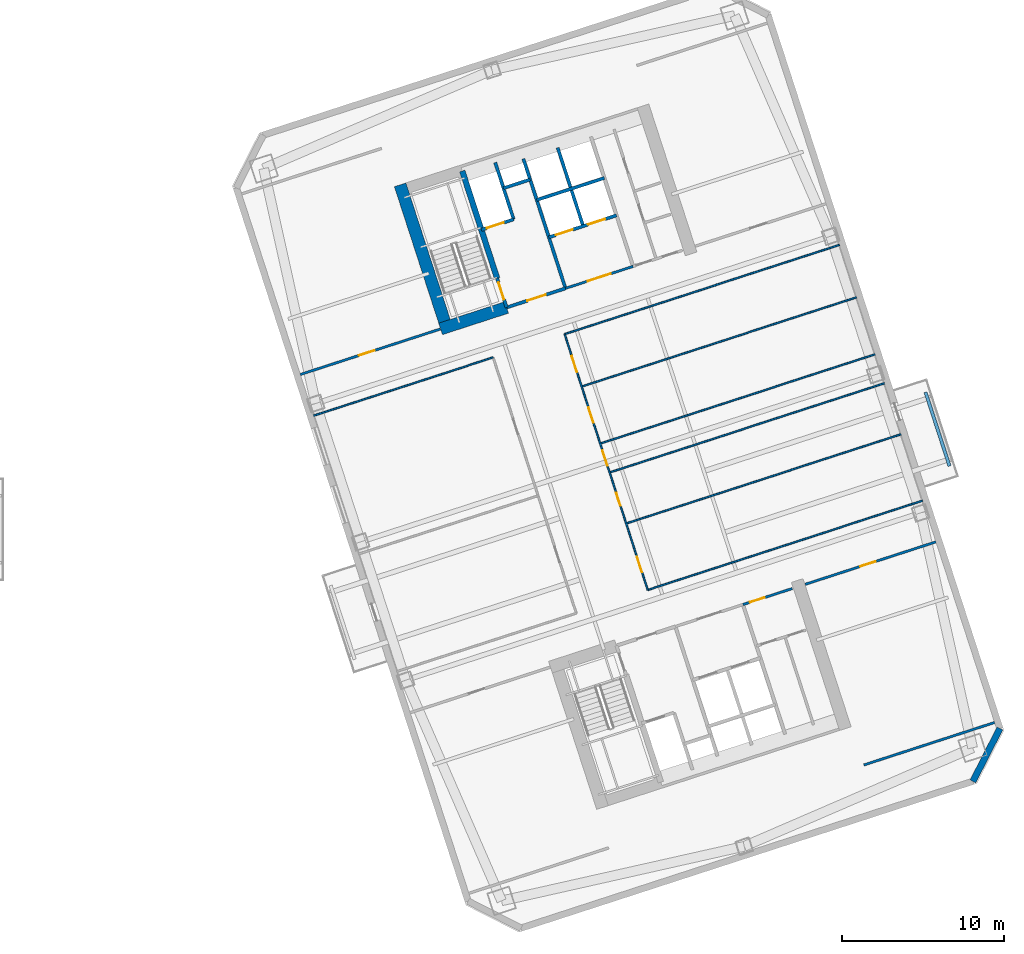
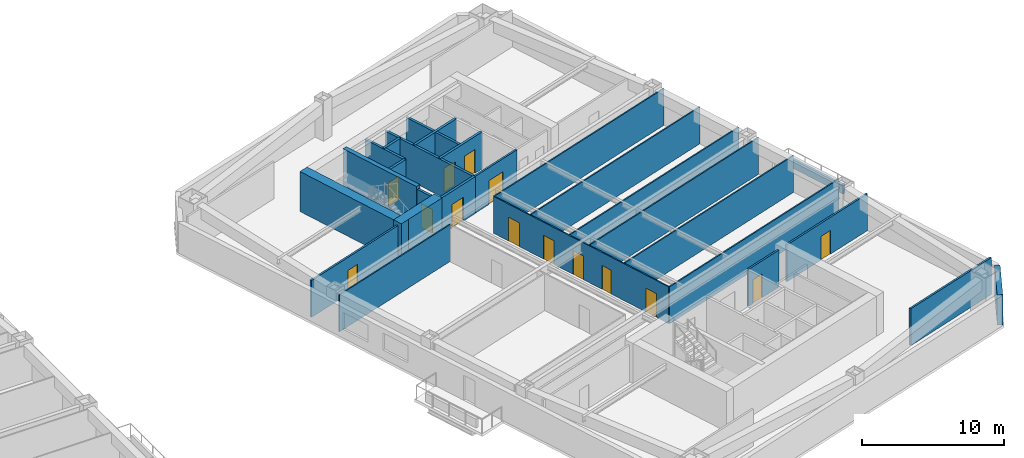
# One storey, part 9 of 15: 27 walls, 14 doors, 14 openings.
"""IFC4 building model written with IfcOpenShell, lengths in metres."""

from ifc_helpers import new_model, si_unit, direction, frame, frame_2d, origin, place, context, subcontext, project, spatial, rectangle, extrude, material, layer, layer_set, type_object, element, fill, save


model = new_model("IFC4")

# Units and contexts
model_context = context("Model", 3, precision=1e-05, world=origin(), true_north=direction((0.0, 1.0)))
body_context = subcontext(model_context, "Body", "Model", "MODEL_VIEW")
ifc_project = project(units=[si_unit("LENGTHUNIT", "METRE"), si_unit("AREAUNIT", "SQUARE_METRE"), si_unit("VOLUMEUNIT", "CUBIC_METRE"), si_unit("PLANEANGLEUNIT", "RADIAN"), si_unit("MASSUNIT", "GRAM", prefix="KILO")], contexts=[model_context])

# Site, building, storey
site_placement = place(None, origin())
site = spatial("IfcSite", under=ifc_project, at=site_placement, CompositionType="ELEMENT")
building_placement = place(site_placement, origin())
building = spatial("IfcBuilding", under=site, at=building_placement, Name="Qiaolan Cultural Towers", CompositionType="ELEMENT")
storey_placement = place(building_placement, frame((0.0, 0.0, 81.64990234375)))
storey = spatial("IfcBuildingStorey", under=building, at=storey_placement, Name="L20", CompositionType="ELEMENT", Elevation=81.64990234375)

# Walls
ifc_material_1 = material(Name="Concrete C50", Category="concrete")
ifc_layer_1 = layer(ifc_material_1, 0.35009765625)
ifc_layer_set_1 = layer_set([ifc_layer_1], Name="Concrete C50")
wall_type_1 = type_object("IfcWallType", Name="WL-CORE-350", PredefinedType="SHEAR", material=ifc_layer_set_1)
wall_1_placement = place(storey_placement, frame((82.513671875, 45.13134765625, 0.0), z_axis=(0.0, 0.0, 1.0), x_axis=(-0.308988790936, 0.951065679686, 0.0)))
element("IfcWall", 1, at=wall_1_placement, inside=storey, type_object=wall_type_1, Name="L20 T2-CN Stair Core Dividing Web", PredefinedType="SHEAR", context=body_context, shape_type="SweptSolid", body=[
    extrude(rectangle(XDim=6.97998046875, YDim=0.35009765625, at=frame_2d((3.489990234375, 0.0))), origin(), (0.0, 0.0, 1.0), 3.4501953125),
])
ifc_material_2 = material(Name="Concrete C60", Category="concrete")
ifc_layer_2 = layer(ifc_material_2, 0.75)
ifc_layer_set_2 = layer_set([ifc_layer_2], Name="Concrete C60")
wall_type_2 = type_object("IfcWallType", Name="WL-CORE-750", PredefinedType="SHEAR", material=ifc_layer_set_2)
wall_2_placement = place(storey_placement, frame((79.48876953125, 41.75634765625, 0.0), z_axis=(0.0, 0.0, 1.0), x_axis=(-0.309016134813, 0.951056795583, 0.0)))
element("IfcWall", 2, at=wall_2_placement, inside=storey, type_object=wall_type_2, Name="L20 T2-CN West Core Shear Wall", PredefinedType="SHEAR", context=body_context, shape_type="SweptSolid", body=[
    extrude(rectangle(XDim=9.630126953125, YDim=0.75, at=frame_2d((4.81494140625, 0.0))), origin(), (0.0, 0.0, 1.0), 3.4501953125),
])
wall_3_placement = place(storey_placement, frame((79.01611328125, 41.997314453125, 0.0), z_axis=(0.0, 0.0, 1.0), x_axis=(0.95106038264, 0.309005094736, 0.0)))
element("IfcWall", 3, at=wall_3_placement, inside=storey, type_object=wall_type_2, Name="L20 T2-CN Stair Front Shear Wall", PredefinedType="SHEAR", context=body_context, shape_type="SweptSolid", body=[
    extrude(rectangle(XDim=4.294921875, YDim=0.75, at=frame_2d((2.1474609375, 0.0))), origin(), (0.0, 0.0, 1.0), 3.4501953125),
])
ifc_material_3 = material(Name="Precast Concrete C50 Honed Stone Pier", Category="masonry")
ifc_layer_3 = layer(ifc_material_3, 0.39990234375)
ifc_layer_set_3 = layer_set([ifc_layer_3], Name="Precast Concrete C50 Honed Stone Pier")
wall_type_3 = type_object("IfcWallType", Name="WL-EXT-PIER-400", PredefinedType="SOLIDWALL", material=ifc_layer_set_3)
wall_4_placement = place(storey_placement, frame((113.62255859375, 17.281494140625, 0.0), z_axis=(0.0, 0.0, 1.0), x_axis=(-0.454026238093, -0.890988313685, 0.0)))
element("IfcWall", 4, at=wall_4_placement, inside=storey, type_object=wall_type_3, Name="L20 East Tower Precast Pier Facade Wall F6", PredefinedType="SOLIDWALL", context=body_context, shape_type="SweptSolid", body=[
    extrude(rectangle(XDim=3.677001953125, YDim=0.39990234375, at=frame_2d((1.83837890625, 0.0))), origin(), (0.0, 0.0, 1.0), 2.610107421875),
])

# Wall, opening, door
ifc_material_4 = material(Name="Concrete C35 Fire Wall", Category="concrete")
ifc_layer_4 = layer(ifc_material_4, 0.199951171875)
ifc_layer_set_4 = layer_set([ifc_layer_4], Name="Concrete C35 Fire Wall")
wall_type_4 = type_object("IfcWallType", Name="WL-FIRE-200", PredefinedType="PARTITIONING", material=ifc_layer_set_4)
wall_5_placement = place(storey_placement, frame((83.100830078125, 43.324462890625, 0.0), z_axis=(0.0, 0.0, 1.0), x_axis=(-0.309048298632, 0.951046344356, 0.0)))
wall_5 = element("IfcWall", 5, at=wall_5_placement, inside=storey, type_object=wall_type_4, Name="L20 T2-CN Smokeproof Stair Entry Wall", PredefinedType="PARTITIONING", context=body_context, shape_type="SweptSolid", body=[
    extrude(rectangle(XDim=1.89990234375, YDim=0.199951171875, at=frame_2d((0.949951171875, 0.0))), origin(), (0.0, 0.0, 1.0), 3.175048828125),
])
opening_1_placement = place(wall_5_placement, frame((0.52001953125, 0.0, 0.0)))
opening_1 = element("IfcOpeningElement", 6, at=opening_1_placement, cuts=wall_5, Name="Opening FD-04", PredefinedType="OPENING", context=body_context, shape_type="SweptSolid", body=[
    extrude(rectangle(XDim=1.10009765625, YDim=2.050048828125, at=frame_2d((0.550048828125, 1.02490234375))), frame((0.0, 0.10986328125, 0.0), z_axis=(0.0, -1.0, 0.0), x_axis=(1.0, 0.0, 0.0)), (0.0, 0.0, 1.0), 0.219970703125),
])
ifc_material_5 = material(Name="Galvanized Steel Command Fire Door", Category="steel")
door_type_1 = type_object("IfcDoorType", Name="DR-FD90-1100", OperationType="NOTDEFINED", PredefinedType="DOOR", material=ifc_material_5)
door_1_placement = place(opening_1_placement, origin())
door_1 = element("IfcDoor", 7, at=door_1_placement, inside=storey, type_object=door_type_1, Name="L20 ST-E2 Smokeproof Stair Fire Door", OperationType="SINGLE_SWING_LEFT", OverallHeight=2.050048828125, OverallWidth=1.10009765625, PredefinedType="DOOR", context=body_context, shape_type="SweptSolid", body=[
    extrude(rectangle(XDim=1.10009765625, YDim=2.050048828125, at=frame_2d((0.550048828125, 1.02490234375))), frame((0.0, 0.02490234375, 0.0), z_axis=(0.0, -1.0, 0.0), x_axis=(1.0, 0.0, 0.0)), (0.0, 0.0, 1.0), 0.050048828125),
])
fill(opening_1, door_1)

# Wall
wall_6_placement = place(storey_placement, frame((86.743408203125, 44.508056640625, 0.0), z_axis=(0.0, 0.0, 1.0), x_axis=(-0.309016001439, 0.951056838919, 0.0)))
element("IfcWall", 8, at=wall_6_placement, inside=storey, type_object=wall_type_4, Name="L20 T2-CN Firefighting Zone Wall", PredefinedType="PARTITIONING", context=body_context, shape_type="SweptSolid", body=[
    extrude(rectangle(XDim=8.429931640625, YDim=0.199951171875, at=frame_2d((4.21484375, 0.0))), origin(), (0.0, 0.0, 1.0), 3.175048828125),
])

# Wall, opening, door
wall_7_placement = place(storey_placement, frame((83.100830078125, 43.324462890625, 0.0), z_axis=(0.0, 0.0, 1.0), x_axis=(0.951052804469, 0.309028417967, 0.0)))
wall_7 = element("IfcWall", 9, at=wall_7_placement, inside=storey, type_object=wall_type_4, Name="L20 T2-CN Firefighting Lobby Front Wall", PredefinedType="PARTITIONING", context=body_context, shape_type="SweptSolid", body=[
    extrude(rectangle(XDim=3.830078125, YDim=0.199951171875, at=frame_2d((1.9150390625, 0.0))), origin(), (0.0, 0.0, 1.0), 3.175048828125),
])
opening_2_placement = place(wall_7_placement, frame((1.35009765625, 0.0, 0.0)))
opening_2 = element("IfcOpeningElement", 10, at=opening_2_placement, cuts=wall_7, Name="Opening FD-03", PredefinedType="OPENING", context=body_context, shape_type="SweptSolid", body=[
    extrude(rectangle(XDim=1.199951171875, YDim=2.050048828125, at=frame_2d((0.60009765625, 1.02490234375))), frame((0.0, 0.10986328125, 0.0), z_axis=(0.0, -1.0, 0.0), x_axis=(1.0, 0.0, 0.0)), (0.0, 0.0, 1.0), 0.219970703125),
])
ifc_material_6 = material(Name="Galvanized Steel Smokeproof Lobby Fire Door", Category="steel")
door_type_2 = type_object("IfcDoorType", Name="DR-FD90-1200", OperationType="NOTDEFINED", PredefinedType="DOOR", material=ifc_material_6)
door_2_placement = place(opening_2_placement, origin())
door_2 = element("IfcDoor", 11, at=door_2_placement, inside=storey, type_object=door_type_2, Name="L20 FFL-E2 Firefighting Lobby Fire Door", OperationType="SINGLE_SWING_LEFT", OverallHeight=2.050048828125, OverallWidth=1.199951171875, PredefinedType="DOOR", context=body_context, shape_type="SweptSolid", body=[
    extrude(rectangle(XDim=1.199951171875, YDim=2.050048828125, at=frame_2d((0.60009765625, 1.02490234375))), frame((0.0, 0.02490234375, 0.0), z_axis=(0.0, -1.0, 0.0), x_axis=(1.0, 0.0, 0.0)), (0.0, 0.0, 1.0), 0.050048828125),
])
fill(opening_2, door_2)

wall_8_placement = place(storey_placement, frame((81.540283203125, 48.127197265625, 0.0), z_axis=(0.0, 0.0, 1.0), x_axis=(0.951062257173, 0.308999325213, 0.0)))
wall_8 = element("IfcWall", 12, at=wall_8_placement, inside=storey, type_object=wall_type_4, Name="L20 T2-CN Firefighting Shaft Front Wall", PredefinedType="PARTITIONING", context=body_context, shape_type="SweptSolid", body=[
    extrude(rectangle(XDim=2.10009765625, YDim=0.199951171875, at=frame_2d((1.050048828125, 0.0))), origin(), (0.0, 0.0, 1.0), 3.175048828125),
])
opening_3_placement = place(wall_8_placement, frame((0.35009765625, 0.0, 0.0)))
opening_3 = element("IfcOpeningElement", 13, at=opening_3_placement, cuts=wall_8, Name="Opening LD-01", PredefinedType="OPENING", context=body_context, shape_type="SweptSolid", body=[
    extrude(rectangle(XDim=1.10009765625, YDim=2.050048828125, at=frame_2d((0.550048828125, 1.02490234375))), frame((0.0, 0.10986328125, 0.0), z_axis=(0.0, -1.0, 0.0), x_axis=(1.0, 0.0, 0.0)), (0.0, 0.0, 1.0), 0.219970703125),
])
ifc_material_7 = material(Name="Brushed Stainless Steel S30408 Centre-Parting Lift Landing Door", Category="steel")
door_type_3 = type_object("IfcDoorType", Name="DR-LIFT-1100", OperationType="NOTDEFINED", PredefinedType="DOOR", material=ifc_material_7)
door_3_placement = place(opening_3_placement, origin())
door_3 = element("IfcDoor", 14, at=door_3_placement, inside=storey, type_object=door_type_3, Name="L20 FFL-E2 Firefighting Lift Landing Door", OperationType="DOUBLE_DOOR_SLIDING", OverallHeight=2.050048828125, OverallWidth=1.10009765625, PredefinedType="DOOR", context=body_context, shape_type="SweptSolid", body=[
    extrude(rectangle(XDim=1.10009765625, YDim=2.050048828125, at=frame_2d((0.550048828125, 1.02490234375))), frame((0.0, 0.02490234375, 0.0), z_axis=(0.0, -1.0, 0.0), x_axis=(1.0, 0.0, 0.0)), (0.0, 0.0, 1.0), 0.050048828125),
])
fill(opening_3, door_3)

# Walls
wall_9_placement = place(storey_placement, frame((83.53759765625, 48.776123046875, 0.0), z_axis=(0.0, 0.0, 1.0), x_axis=(-0.3089935693, 0.951064127245, 0.0)))
element("IfcWall", 15, at=wall_9_placement, inside=storey, type_object=wall_type_4, Name="L20 T2-CN Firefighting Hoistway East Wall", PredefinedType="PARTITIONING", context=body_context, shape_type="SweptSolid", body=[
    extrude(rectangle(XDim=3.7001953125, YDim=0.199951171875, at=frame_2d((1.85009765625, 0.0))), origin(), (0.0, 0.0, 1.0), 3.175048828125),
])
wall_10_placement = place(storey_placement, frame((82.910400390625, 50.706787109375, 0.0), z_axis=(0.0, 0.0, 1.0), x_axis=(0.951041328149, 0.309063734775, 0.0)))
element("IfcWall", 16, at=wall_10_placement, inside=storey, type_object=wall_type_4, Name="L20 T2-CN Pressurization Shaft Front Wall", PredefinedType="PARTITIONING", context=body_context, shape_type="SweptSolid", body=[
    extrude(rectangle(XDim=1.72998046875, YDim=0.199951171875, at=frame_2d((0.864990234375, 0.0))), origin(), (0.0, 0.0, 1.0), 3.175048828125),
])

# Wall, openings, doors
wall_11_placement = place(storey_placement, frame((85.717529296875, 47.66552734375, 0.0), z_axis=(0.0, 0.0, 1.0), x_axis=(0.951058531764, 0.30901079133, 0.0)))
wall_11 = element("IfcWall", 17, at=wall_11_placement, inside=storey, type_object=wall_type_4, Name="L20 T2-CN Passenger Lift Shaft Front Wall", PredefinedType="PARTITIONING", context=body_context, shape_type="SweptSolid", body=[
    extrude(rectangle(XDim=4.39990234375, YDim=0.199951171875, at=frame_2d((2.199951171875, 0.0))), origin(), (0.0, 0.0, 1.0), 3.175048828125),
])
opening_4_placement = place(wall_11_placement, frame((0.449951171875, 0.0, 0.0)))
opening_4 = element("IfcOpeningElement", 18, at=opening_4_placement, cuts=wall_11, Name="Opening LD-01", PredefinedType="OPENING", context=body_context, shape_type="SweptSolid", body=[
    extrude(rectangle(XDim=1.10009765625, YDim=2.050048828125, at=frame_2d((0.550048828125, 1.02490234375))), frame((0.0, 0.10986328125, 0.0), z_axis=(0.0, -1.0, 0.0), x_axis=(1.0, 0.0, 0.0)), (0.0, 0.0, 1.0), 0.219970703125),
])
opening_5_placement = place(wall_11_placement, frame((2.550048828125, 0.0, 0.0)))
opening_5 = element("IfcOpeningElement", 19, at=opening_5_placement, cuts=wall_11, Name="Opening LD-01", PredefinedType="OPENING", context=body_context, shape_type="SweptSolid", body=[
    extrude(rectangle(XDim=1.10009765625, YDim=2.050048828125, at=frame_2d((0.550048828125, 1.02490234375))), frame((0.0, 0.10986328125, 0.0), z_axis=(0.0, -1.0, 0.0), x_axis=(1.0, 0.0, 0.0)), (0.0, 0.0, 1.0), 0.219970703125),
])
door_4_placement = place(opening_4_placement, origin())
door_4 = element("IfcDoor", 20, at=door_4_placement, inside=storey, type_object=door_type_3, Name="L20 Passenger Lift 1 Landing Door", OperationType="DOUBLE_DOOR_SLIDING", OverallHeight=2.050048828125, OverallWidth=1.10009765625, PredefinedType="DOOR", context=body_context, shape_type="SweptSolid", body=[
    extrude(rectangle(XDim=1.10009765625, YDim=2.050048828125, at=frame_2d((0.550048828125, 1.02490234375))), frame((0.0, 0.02490234375, 0.0), z_axis=(0.0, -1.0, 0.0), x_axis=(1.0, 0.0, 0.0)), (0.0, 0.0, 1.0), 0.050048828125),
])
fill(opening_4, door_4)
door_5_placement = place(opening_5_placement, origin())
door_5 = element("IfcDoor", 21, at=door_5_placement, inside=storey, type_object=door_type_3, Name="L20 Passenger Lift 2 Landing Door", OperationType="DOUBLE_DOOR_SLIDING", OverallHeight=2.050048828125, OverallWidth=1.10009765625, PredefinedType="DOOR", context=body_context, shape_type="SweptSolid", body=[
    extrude(rectangle(XDim=1.10009765625, YDim=2.050048828125, at=frame_2d((0.550048828125, 1.02490234375))), frame((0.0, 0.02490234375, 0.0), z_axis=(0.0, -1.0, 0.0), x_axis=(1.0, 0.0, 0.0)), (0.0, 0.0, 1.0), 0.050048828125),
])
fill(opening_5, door_5)

# Walls
wall_12_placement = place(storey_placement, frame((87.83837890625, 48.3544921875, 0.0), z_axis=(0.0, 0.0, 1.0), x_axis=(-0.3090093719, 0.951058992953, 0.0)))
element("IfcWall", 22, at=wall_12_placement, inside=storey, type_object=wall_type_4, Name="L20 T2-CN Lift Shaft Divider Wall", PredefinedType="PARTITIONING", context=body_context, shape_type="SweptSolid", body=[
    extrude(rectangle(XDim=5.110107421875, YDim=0.199951171875, at=frame_2d((2.55517578125, 0.0))), origin(), (0.0, 0.0, 1.0), 3.175048828125),
])
wall_13_placement = place(storey_placement, frame((84.966552734375, 49.9765625, 0.0), z_axis=(0.0, 0.0, 1.0), x_axis=(0.951063829732, 0.308994485023, 0.0)))
element("IfcWall", 23, at=wall_13_placement, inside=storey, type_object=wall_type_4, Name="L20 T2-CN Passenger Lift Shaft Back Wall", PredefinedType="PARTITIONING", context=body_context, shape_type="SweptSolid", body=[
    extrude(rectangle(XDim=4.400146484375, YDim=0.199951171875, at=frame_2d((2.2001953125, 0.0))), origin(), (0.0, 0.0, 1.0), 3.175048828125),
])
ifc_material_8 = material(Name="Acoustic Double-Glazed Partition Frame", Category="glass")
ifc_layer_5 = layer(ifc_material_8, 0.10009765625)
ifc_layer_set_5 = layer_set([ifc_layer_5], Name="Acoustic Double-Glazed Partition Frame")
wall_type_5 = type_object("IfcWallType", Name="WL-GLAZED-100", PredefinedType="MOVABLE", material=ifc_layer_set_5)
wall_14_placement = place(storey_placement, frame((91.833984375, 25.84765625, 0.0), z_axis=(0.0, 0.0, 1.0), x_axis=(0.951055746746, 0.309019362795, 0.0)))
element("IfcWall", 24, at=wall_14_placement, inside=storey, type_object=wall_type_5, Name="L20 T2 South Corridor Right Wall", PredefinedType="MOVABLE", context=body_context, shape_type="SweptSolid", body=[
    extrude(rectangle(XDim=17.874755859375, YDim=0.10009765625, at=frame_2d((8.9375, 0.0))), origin(), (0.0, 0.0, 1.0), 3.175048828125),
])
wall_15_placement = place(storey_placement, frame((71.166015625, 36.628662109375, 0.0), z_axis=(0.0, 0.0, 1.0), x_axis=(0.951058653673, 0.309010416124, 0.0)))
element("IfcWall", 25, at=wall_15_placement, inside=storey, type_object=wall_type_5, Name="L20 T2 North Corridor Left Wall", PredefinedType="MOVABLE", context=body_context, shape_type="SweptSolid", body=[
    extrude(rectangle(XDim=11.6748046875, YDim=0.10009765625, at=frame_2d((5.83740234375, 0.0))), origin(), (0.0, 0.0, 1.0), 3.175048828125),
])
wall_16_placement = place(storey_placement, frame((86.69189453125, 41.67333984375, 0.0), z_axis=(0.0, 0.0, 1.0), x_axis=(0.951057050993, 0.309015348739, 0.0)))
element("IfcWall", 26, at=wall_16_placement, inside=storey, type_object=wall_type_5, Name="L20 T2 North Corridor Right Wall", PredefinedType="MOVABLE", context=body_context, shape_type="SweptSolid", body=[
    extrude(rectangle(XDim=17.875, YDim=0.10009765625, at=frame_2d((8.9375, 0.0))), origin(), (0.0, 0.0, 1.0), 3.175048828125),
])

# Wall, openings, doors
wall_17_placement = place(storey_placement, frame((91.833984375, 25.84765625, 0.0), z_axis=(0.0, 0.0, 1.0), x_axis=(-0.30901773025, 0.951056277195, 0.0)))
wall_17 = element("IfcWall", 27, at=wall_17_placement, inside=storey, type_object=wall_type_5, Name="L20 T2 East Spine Wall", PredefinedType="MOVABLE", context=body_context, shape_type="SweptSolid", body=[
    extrude(rectangle(XDim=16.64013671875, YDim=0.10009765625, at=frame_2d((8.320068359375, 0.0))), origin(), (0.0, 0.0, 1.0), 3.175048828125),
])
opening_6_placement = place(wall_17_placement, frame((1.159912109375, 0.0, 0.0)))
opening_6 = element("IfcOpeningElement", 28, at=opening_6_placement, cuts=wall_17, Name="Opening ID-04", PredefinedType="OPENING", context=body_context, shape_type="SweptSolid", body=[
    extrude(rectangle(XDim=1.0, YDim=2.050048828125, at=frame_2d((0.5, 1.02490234375))), frame((0.0, 0.06005859375, 0.0), z_axis=(0.0, -1.0, 0.0), x_axis=(1.0, 0.0, 0.0)), (0.0, 0.0, 1.0), 0.1201171875),
])
opening_7_placement = place(wall_17_placement, frame((5.47998046875, 0.0, 0.0)))
opening_7 = element("IfcOpeningElement", 29, at=opening_7_placement, cuts=wall_17, Name="Opening ID-09", PredefinedType="OPENING", context=body_context, shape_type="SweptSolid", body=[
    extrude(rectangle(XDim=0.85009765625, YDim=2.050048828125, at=frame_2d((0.425048828125, 1.02490234375))), frame((0.0, 0.06005859375, 0.0), z_axis=(0.0, -1.0, 0.0), x_axis=(1.0, 0.0, 0.0)), (0.0, 0.0, 1.0), 0.1201171875),
])
opening_8_placement = place(wall_17_placement, frame((8.080078125, 0.0, 0.0)))
opening_8 = element("IfcOpeningElement", 30, at=opening_8_placement, cuts=wall_17, Name="Opening ID-04", PredefinedType="OPENING", context=body_context, shape_type="SweptSolid", body=[
    extrude(rectangle(XDim=1.0, YDim=2.050048828125, at=frame_2d((0.5, 1.02490234375))), frame((0.0, 0.06005859375, 0.0), z_axis=(0.0, -1.0, 0.0), x_axis=(1.0, 0.0, 0.0)), (0.0, 0.0, 1.0), 0.1201171875),
])
opening_9_placement = place(wall_17_placement, frame((10.874267578125, 0.0, 0.0)))
opening_9 = element("IfcOpeningElement", 31, at=opening_9_placement, cuts=wall_17, Name="Opening ID-04", PredefinedType="OPENING", context=body_context, shape_type="SweptSolid", body=[
    extrude(rectangle(XDim=1.0, YDim=2.050048828125, at=frame_2d((0.5, 1.02490234375))), frame((0.0, 0.06005859375, 0.0), z_axis=(0.0, -1.0, 0.0), x_axis=(1.0, 0.0, 0.0)), (0.0, 0.0, 1.0), 0.1201171875),
])
opening_10_placement = place(wall_17_placement, frame((14.17431640625, 0.0, 0.0)))
opening_10 = element("IfcOpeningElement", 32, at=opening_10_placement, cuts=wall_17, Name="Opening ID-07", PredefinedType="OPENING", context=body_context, shape_type="SweptSolid", body=[
    extrude(rectangle(XDim=1.050048828125, YDim=2.050048828125, at=frame_2d((0.52490234375, 1.02490234375))), frame((0.0, 0.06005859375, 0.0), z_axis=(0.0, -1.0, 0.0), x_axis=(1.0, 0.0, 0.0)), (0.0, 0.0, 1.0), 0.1201171875),
])
ifc_material_9 = material(Name="Oak Veneer Acoustic Office Door", Category="timber")
door_type_4 = type_object("IfcDoorType", Name="DR-INT-1000", OperationType="NOTDEFINED", PredefinedType="DOOR", material=ifc_material_9)
door_6_placement = place(opening_6_placement, origin())
door_6 = element("IfcDoor", 33, at=door_6_placement, inside=storey, type_object=door_type_4, Name="L20 T2 Boutique Art Shop Door", OperationType="SINGLE_SWING_RIGHT", OverallHeight=2.050048828125, OverallWidth=1.0, PredefinedType="DOOR", context=body_context, shape_type="SweptSolid", body=[
    extrude(rectangle(XDim=1.0, YDim=2.050048828125, at=frame_2d((0.5, 1.02490234375))), frame((0.0, 0.02490234375, 0.0), z_axis=(0.0, -1.0, 0.0), x_axis=(1.0, 0.0, 0.0)), (0.0, 0.0, 1.0), 0.050048828125),
])
fill(opening_6, door_6)
door_7_placement = place(opening_8_placement, origin())
door_7 = element("IfcDoor", 34, at=door_7_placement, inside=storey, type_object=door_type_4, Name="L20 T2 Wellness Care Room Door", OperationType="SINGLE_SWING_LEFT", OverallHeight=2.050048828125, OverallWidth=1.0, PredefinedType="DOOR", context=body_context, shape_type="SweptSolid", body=[
    extrude(rectangle(XDim=1.0, YDim=2.050048828125, at=frame_2d((0.5, 1.02490234375))), frame((0.0, 0.02490234375, 0.0), z_axis=(0.0, -1.0, 0.0), x_axis=(1.0, 0.0, 0.0)), (0.0, 0.0, 1.0), 0.050048828125),
])
fill(opening_8, door_7)
door_8_placement = place(opening_9_placement, origin())
door_8 = element("IfcDoor", 35, at=door_8_placement, inside=storey, type_object=door_type_4, Name="L20 T2 Conference Room Door", OperationType="SINGLE_SWING_RIGHT", OverallHeight=2.050048828125, OverallWidth=1.0, PredefinedType="DOOR", context=body_context, shape_type="SweptSolid", body=[
    extrude(rectangle(XDim=1.0, YDim=2.050048828125, at=frame_2d((0.5, 1.02490234375))), frame((0.0, 0.02490234375, 0.0), z_axis=(0.0, -1.0, 0.0), x_axis=(1.0, 0.0, 0.0)), (0.0, 0.0, 1.0), 0.050048828125),
])
fill(opening_9, door_8)
ifc_material_10 = material(Name="Oak Veneer Consultation Door", Category="timber")
door_type_5 = type_object("IfcDoorType", Name="DR-INT-1050", OperationType="NOTDEFINED", PredefinedType="DOOR", material=ifc_material_10)
door_9_placement = place(opening_10_placement, origin())
door_9 = element("IfcDoor", 36, at=door_9_placement, inside=storey, type_object=door_type_5, Name="L20 T2 Club Lounge Door", OperationType="SINGLE_SWING_LEFT", OverallHeight=2.050048828125, OverallWidth=1.050048828125, PredefinedType="DOOR", context=body_context, shape_type="SweptSolid", body=[
    extrude(rectangle(XDim=1.050048828125, YDim=2.050048828125, at=frame_2d((0.52490234375, 1.02490234375))), frame((0.0, 0.02490234375, 0.0), z_axis=(0.0, -1.0, 0.0), x_axis=(1.0, 0.0, 0.0)), (0.0, 0.0, 1.0), 0.050048828125),
])
fill(opening_10, door_9)
ifc_material_11 = material(Name="Moisture-Resistant Laminate Utility Door", Category="timber")
door_type_6 = type_object("IfcDoorType", Name="DR-INT-850", OperationType="NOTDEFINED", PredefinedType="DOOR", material=ifc_material_11)
door_10_placement = place(opening_7_placement, origin())
door_10 = element("IfcDoor", 37, at=door_10_placement, inside=storey, type_object=door_type_6, Name="L20 T2 Boutique Art Shop Door", OperationType="SINGLE_SWING_RIGHT", OverallHeight=2.050048828125, OverallWidth=0.85009765625, PredefinedType="DOOR", context=body_context, shape_type="SweptSolid", body=[
    extrude(rectangle(XDim=0.85009765625, YDim=2.050048828125, at=frame_2d((0.425048828125, 1.02490234375))), frame((0.0, 0.02490234375, 0.0), z_axis=(0.0, -1.0, 0.0), x_axis=(1.0, 0.0, 0.0)), (0.0, 0.0, 1.0), 0.050048828125),
])
fill(opening_7, door_10)

# Walls
for number, where, z_axis, x_axis, name in (
    (38, (90.4990234375, 29.956298828125, 0.0), (0.0, 0.0, 1.0), (0.951055746746, 0.309019362795, 0.0), "L20 T2 East Partition 2"),
    (39, (89.47314453125, 33.11376953125, 0.0), (0.0, 0.0, 1.0), (0.951055746746, 0.309019362795, 0.0), "L20 T2 East Partition 3"),
):
    element("IfcWall", number, at=place(storey_placement, frame(where, z_axis=z_axis, x_axis=x_axis)), inside=storey, type_object=wall_type_5, Name=name, PredefinedType="MOVABLE", context=body_context, shape_type="SweptSolid", body=[
        extrude(rectangle(XDim=17.874755859375, YDim=0.10009765625, at=frame_2d((8.9375, 0.0))), origin(), (0.0, 0.0, 1.0), 3.175048828125),
    ])
for number, where, z_axis, x_axis, name in (
    (40, (88.89208984375, 34.90185546875, 0.0), (0.0, 0.0, 1.0), (0.951057050993, 0.309015348739, 0.0), "L20 T2 East Partition 4"),
    (41, (87.74609375, 38.4287109375, 0.0), (0.0, 0.0, 1.0), (0.951057050993, 0.309015348739, 0.0), "L20 T2 East Partition 5"),
):
    element("IfcWall", number, at=place(storey_placement, frame(where, z_axis=z_axis, x_axis=x_axis)), inside=storey, type_object=wall_type_5, Name=name, PredefinedType="MOVABLE", context=body_context, shape_type="SweptSolid", body=[
        extrude(rectangle(XDim=17.875, YDim=0.10009765625, at=frame_2d((8.9375, 0.0))), origin(), (0.0, 0.0, 1.0), 3.175048828125),
    ])

# Wall, opening, door
ifc_material_12 = material(Name="Autoclaved Aerated Concrete Block B06", Category="concrete")
ifc_layer_6 = layer(ifc_material_12, 0.14990234375)
ifc_layer_set_6 = layer_set([ifc_layer_6], Name="Autoclaved Aerated Concrete Block B06")
wall_type_6 = type_object("IfcWallType", Name="WL-PART-150", PredefinedType="PARTITIONING", material=ifc_layer_set_6)
wall_18_placement = place(storey_placement, frame((97.7265625, 24.9443359375, 0.0), z_axis=(0.0, 0.0, 1.0), x_axis=(0.951036872128, 0.309077446369, 0.0)))
wall_18 = element("IfcWall", 42, at=wall_18_placement, inside=storey, type_object=wall_type_6, Name="L20 T2-CS Sanitary Core Front Wall", PredefinedType="PARTITIONING", context=body_context, shape_type="SweptSolid", body=[
    extrude(rectangle(XDim=3.199951171875, YDim=0.14990234375, at=frame_2d((1.60009765625, 0.0))), origin(), (0.0, 0.0, 1.0), 3.175048828125),
])
opening_11_placement = place(wall_18_placement, frame((0.449951171875, 0.0, 0.0)))
opening_11 = element("IfcOpeningElement", 43, at=opening_11_placement, cuts=wall_18, Name="Opening ID-05", PredefinedType="OPENING", context=body_context, shape_type="SweptSolid", body=[
    extrude(rectangle(XDim=0.949951171875, YDim=2.050048828125, at=frame_2d((0.47509765625, 1.02490234375))), frame((0.0, 0.0849609375, 0.0), z_axis=(0.0, -1.0, 0.0), x_axis=(1.0, 0.0, 0.0)), (0.0, 0.0, 1.0), 0.169921875),
])
ifc_material_13 = material(Name="Fire-Rated Laminate Accessible Core Door", Category="timber")
door_type_7 = type_object("IfcDoorType", Name="DR-INT-950", OperationType="NOTDEFINED", PredefinedType="DOOR", material=ifc_material_13)
door_11_placement = place(opening_11_placement, origin())
door_11 = element("IfcDoor", 44, at=door_11_placement, inside=storey, type_object=door_type_7, Name="L20 Sanitary Vestibule Door", OperationType="SINGLE_SWING_LEFT", OverallHeight=2.050048828125, OverallWidth=0.949951171875, PredefinedType="DOOR", context=body_context, shape_type="SweptSolid", body=[
    extrude(rectangle(XDim=0.949951171875, YDim=2.050048828125, at=frame_2d((0.47509765625, 1.02490234375))), frame((0.0, 0.02490234375, 0.0), z_axis=(0.0, -1.0, 0.0), x_axis=(1.0, 0.0, 0.0)), (0.0, 0.0, 1.0), 0.050048828125),
])
fill(opening_11, door_11)

wall_19_placement = place(storey_placement, frame((86.743408203125, 44.508056640625, 0.0), z_axis=(0.0, 0.0, 1.0), x_axis=(0.951063829732, 0.308994485023, 0.0)))
wall_19 = element("IfcWall", 45, at=wall_19_placement, inside=storey, type_object=wall_type_6, Name="L20 T2-CN Passenger Lift Lobby Front Wall", PredefinedType="PARTITIONING", context=body_context, shape_type="SweptSolid", body=[
    extrude(rectangle(XDim=4.400146484375, YDim=0.14990234375, at=frame_2d((2.2001953125, 0.0))), origin(), (0.0, 0.0, 1.0), 3.175048828125),
])
opening_12_placement = place(wall_19_placement, frame((1.449951171875, 0.0, 0.0)))
opening_12 = element("IfcOpeningElement", 46, at=opening_12_placement, cuts=wall_19, Name="Opening FD-05", PredefinedType="OPENING", context=body_context, shape_type="SweptSolid", body=[
    extrude(rectangle(XDim=1.5, YDim=2.050048828125, at=frame_2d((0.75, 1.02490234375))), frame((0.0, 0.0849609375, 0.0), z_axis=(0.0, -1.0, 0.0), x_axis=(1.0, 0.0, 0.0)), (0.0, 0.0, 1.0), 0.169921875),
])
ifc_material_14 = material(Name="Painted Steel Lift Lobby Fire Door", Category="steel")
door_type_8 = type_object("IfcDoorType", Name="DR-FD60-1500", OperationType="NOTDEFINED", PredefinedType="DOOR", material=ifc_material_14)
door_12_placement = place(opening_12_placement, origin())
door_12 = element("IfcDoor", 47, at=door_12_placement, inside=storey, type_object=door_type_8, Name="L20 Passenger Lift Lobby Entrance", OperationType="SINGLE_SWING_LEFT", OverallHeight=2.050048828125, OverallWidth=1.5, PredefinedType="DOOR", context=body_context, shape_type="SweptSolid", body=[
    extrude(rectangle(XDim=1.5, YDim=2.050048828125, at=frame_2d((0.75, 1.02490234375))), frame((0.0, 0.02490234375, 0.0), z_axis=(0.0, -1.0, 0.0), x_axis=(1.0, 0.0, 0.0)), (0.0, 0.0, 1.0), 0.050048828125),
])
fill(opening_12, door_12)

# Wall
wall_20_placement = place(storey_placement, frame((105.209228515625, 15.02099609375, 0.0), z_axis=(0.0, 0.0, 1.0), x_axis=(0.951054329824, 0.309023723562, 0.0)))
element("IfcWall", 48, at=wall_20_placement, inside=storey, type_object=wall_type_6, Name="L20 T2 Flank Wall FLK-SE", PredefinedType="PARTITIONING", context=body_context, shape_type="SweptSolid", body=[
    extrude(rectangle(XDim=8.5, YDim=0.14990234375, at=frame_2d((4.25, 0.0))), origin(), (0.0, 0.0, 1.0), 3.175048828125),
])

# Wall, opening, door
wall_21_placement = place(storey_placement, frame((101.578369140625, 26.196044921875, 0.0), z_axis=(0.0, 0.0, 1.0), x_axis=(0.951062770994, 0.308997743729, 0.0)))
wall_21 = element("IfcWall", 49, at=wall_21_placement, inside=storey, type_object=wall_type_6, Name="L20 T2 Flank Front FLK-SE", PredefinedType="PARTITIONING", context=body_context, shape_type="SweptSolid", body=[
    extrude(rectangle(XDim=8.5, YDim=0.14990234375, at=frame_2d((4.25, 0.0))), origin(), (0.0, 0.0, 1.0), 3.175048828125),
])
opening_13_placement = place(wall_21_placement, frame((3.570068359375, 0.0, 0.0)))
opening_13 = element("IfcOpeningElement", 50, at=opening_13_placement, cuts=wall_21, Name="Opening ID-04", PredefinedType="OPENING", context=body_context, shape_type="SweptSolid", body=[
    extrude(rectangle(XDim=1.0, YDim=2.050048828125, at=frame_2d((0.5, 1.02490234375))), frame((0.0, 0.0849609375, 0.0), z_axis=(0.0, -1.0, 0.0), x_axis=(1.0, 0.0, 0.0)), (0.0, 0.0, 1.0), 0.169921875),
])
door_13_placement = place(opening_13_placement, origin())
door_13 = element("IfcDoor", 51, at=door_13_placement, inside=storey, type_object=door_type_4, Name="L20 T2 Corner Studio Door", OperationType="SINGLE_SWING_LEFT", OverallHeight=2.050048828125, OverallWidth=1.0, PredefinedType="DOOR", context=body_context, shape_type="SweptSolid", body=[
    extrude(rectangle(XDim=1.0, YDim=2.050048828125, at=frame_2d((0.5, 1.02490234375))), frame((0.0, 0.02490234375, 0.0), z_axis=(0.0, -1.0, 0.0), x_axis=(1.0, 0.0, 0.0)), (0.0, 0.0, 1.0), 0.050048828125),
])
fill(opening_13, door_13)

wall_22_placement = place(storey_placement, frame((70.337646484375, 39.177490234375, 0.0), z_axis=(0.0, 0.0, 1.0), x_axis=(0.951059695568, 0.309007209409, 0.0)))
wall_22 = element("IfcWall", 52, at=wall_22_placement, inside=storey, type_object=wall_type_6, Name="L20 T2 Flank Front FLK-NW", PredefinedType="PARTITIONING", context=body_context, shape_type="SweptSolid", body=[
    extrude(rectangle(XDim=9.10009765625, YDim=0.14990234375, at=frame_2d((4.550048828125, 0.0))), origin(), (0.0, 0.0, 1.0), 3.175048828125),
])
opening_14_placement = place(wall_22_placement, frame((3.822021484375, 0.0, 0.0)))
opening_14 = element("IfcOpeningElement", 53, at=opening_14_placement, cuts=wall_22, Name="Opening ID-04", PredefinedType="OPENING", context=body_context, shape_type="SweptSolid", body=[
    extrude(rectangle(XDim=1.0, YDim=2.050048828125, at=frame_2d((0.5, 1.02490234375))), frame((0.0, 0.0849609375, 0.0), z_axis=(0.0, -1.0, 0.0), x_axis=(1.0, 0.0, 0.0)), (0.0, 0.0, 1.0), 0.169921875),
])
door_14_placement = place(opening_14_placement, origin())
door_14 = element("IfcDoor", 54, at=door_14_placement, inside=storey, type_object=door_type_4, Name="L20 T2 Corner Studio Door", OperationType="SINGLE_SWING_LEFT", OverallHeight=2.050048828125, OverallWidth=1.0, PredefinedType="DOOR", context=body_context, shape_type="SweptSolid", body=[
    extrude(rectangle(XDim=1.0, YDim=2.050048828125, at=frame_2d((0.5, 1.02490234375))), frame((0.0, 0.02490234375, 0.0), z_axis=(0.0, -1.0, 0.0), x_axis=(1.0, 0.0, 0.0)), (0.0, 0.0, 1.0), 0.050048828125),
])
fill(opening_14, door_14)

# Wall
ifc_material_15 = material(Name="Precast Concrete C45 Tree Planter Upstand", Category="concrete")
ifc_layer_7 = layer(ifc_material_15, 0.199951171875)
ifc_layer_set_7 = layer_set([ifc_layer_7], Name="Precast Concrete C45 Tree Planter Upstand")
wall_type_7 = type_object("IfcWallType", Name="WL-PLANTER-200", PredefinedType="PARAPET", material=ifc_layer_set_7)
wall_23_placement = place(storey_placement, frame((110.504150390625, 33.51220703125, 0.0), z_axis=(0.0, 0.0, 1.0), x_axis=(-0.308986014439, 0.951066581729, 0.0)))
element("IfcWall", 55, at=wall_23_placement, inside=storey, type_object=wall_type_7, Name="L20 T2 Tree Balcony Soil Planter Box E", PredefinedType="PARAPET", context=body_context, shape_type="SweptSolid", body=[
    extrude(rectangle(XDim=4.800048828125, YDim=0.199951171875, at=frame_2d((2.39990234375, 0.0))), origin(), (0.0, 0.0, 1.0), 0.75),
])

save(model, "model.ifc")
